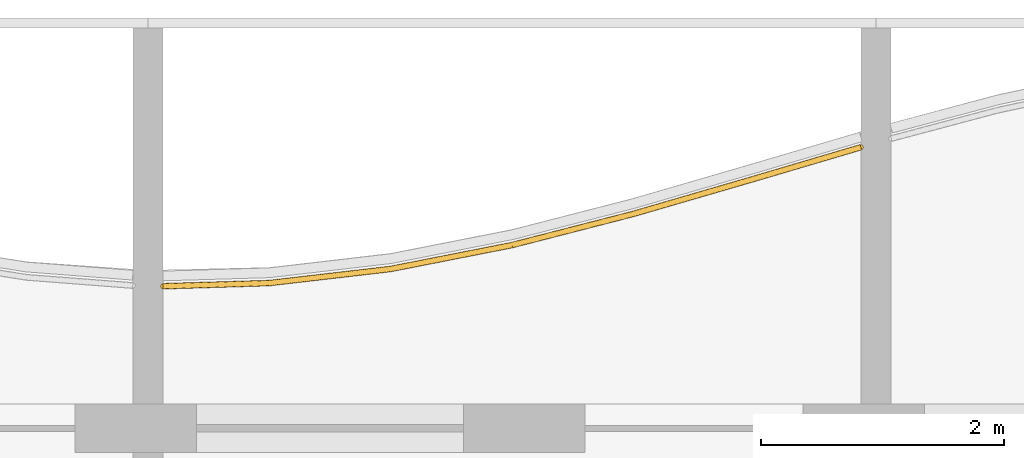
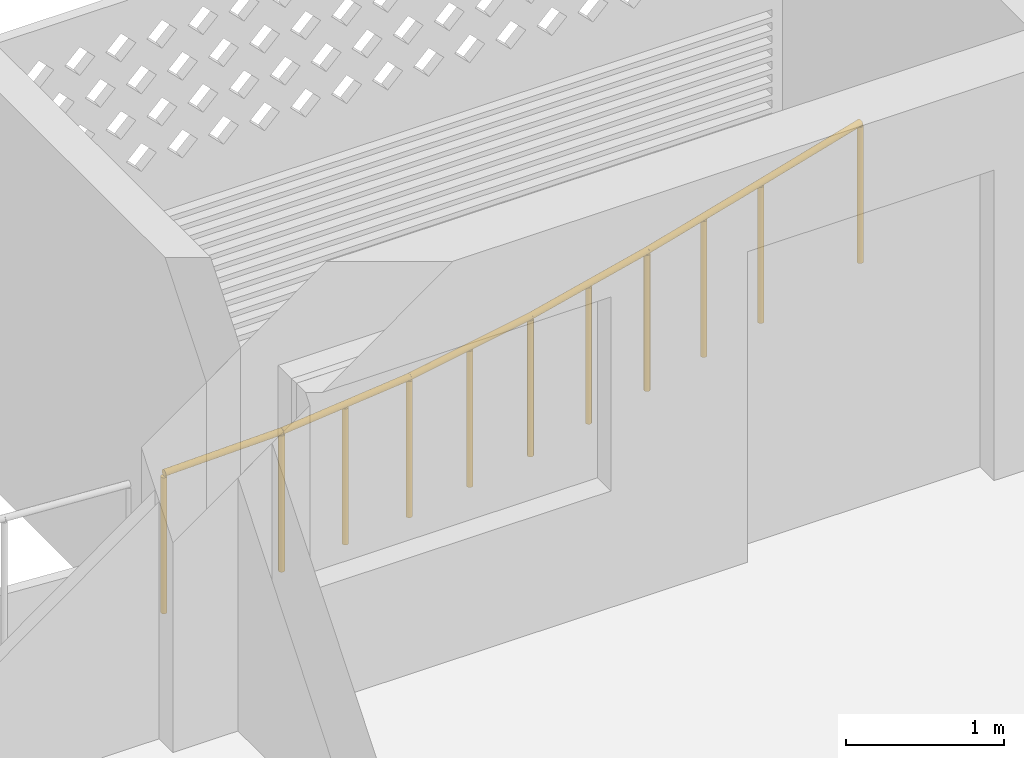
# One storey, part 20 of 29: 1 railing.
"""IFC4 building model written with IfcOpenShell, lengths in metres."""

from ifc_helpers import new_model, si_unit, direction, frame, origin, origin_2d, place, context, subcontext, project, spatial, circle, extrude, material, type_object, element, save


model = new_model("IFC4")

# Units and contexts
model_context = context("Model", 3, precision=1e-05, world=origin(), true_north=direction((0.0, 1.0)))
body_context = subcontext(model_context, "Body", "Model", "MODEL_VIEW")
ifc_project = project(units=[si_unit("LENGTHUNIT", "METRE"), si_unit("AREAUNIT", "SQUARE_METRE"), si_unit("VOLUMEUNIT", "CUBIC_METRE"), si_unit("PLANEANGLEUNIT", "RADIAN"), si_unit("MASSUNIT", "GRAM", prefix="KILO")], contexts=[model_context])

# Site, building, storey
site_placement = place(None, origin())
site = spatial("IfcSite", under=ifc_project, at=site_placement, CompositionType="ELEMENT")
building_placement = place(site_placement, origin())
building = spatial("IfcBuilding", under=site, at=building_placement, Name="Poui Terraces", CompositionType="ELEMENT")
storey_placement = place(building_placement, frame((0.0, 0.0, 231.300048828125)))
storey = spatial("IfcBuildingStorey", under=building, at=storey_placement, Name="L64", CompositionType="ELEMENT", Elevation=231.300048828125)

# Railing
ifc_material = material(Name="Painted steel fretwork", Category="steel")
railing_type = type_object("IfcRailingType", Name="BALCONY GUARD 1100", PredefinedType="GUARDRAIL", material=ifc_material)
railing_placement = place(storey_placement, frame((42.125, 42.370849609375, 0.0)))
element("IfcRailing", 1, at=railing_placement, inside=storey, type_object=railing_type, Name="BALCONY GUARD", PredefinedType="GUARDRAIL", context=body_context, shape_type="SweptSolid", body=[
    extrude(circle(Radius=0.02392578125, at=origin_2d()), frame((0.0, 0.0, 1.076171875), z_axis=(0.999554639848, 0.029841614527, 0.0), x_axis=(-0.029841614527, 0.999554639848, 0.0)), (0.0, 0.0, 1.0), 0.87548828125),
    extrude(circle(Radius=0.02392578125, at=origin_2d()), frame((0.875, 0.026123046875, 1.076171875), z_axis=(0.993315142472, 0.11543408394, 0.0), x_axis=(-0.11543408394, 0.993315142472, 0.0)), (0.0, 0.0, 1.0), 1.0068359375),
    extrude(circle(Radius=0.02392578125, at=origin_2d()), frame((1.875, 0.142333984375, 1.076171875), z_axis=(0.981184042676, 0.193074789648, 0.0), x_axis=(-0.193074789648, 0.981184042676, 0.0)), (0.0, 0.0, 1.0), 1.019287109375),
    extrude(circle(Radius=0.02392578125, at=origin_2d()), frame((2.875, 0.339111328125, 1.076171875), z_axis=(0.968507596014, 0.248984008448, 0.0), x_axis=(-0.248984008448, 0.968507596014, 0.0)), (0.0, 0.0, 1.0), 1.032470703125),
    extrude(circle(Radius=0.02392578125, at=origin_2d()), frame((3.875, 0.59619140625, 1.076171875), z_axis=(0.960230728662, 0.279207714316, 0.0), x_axis=(-0.279207714316, 0.960230728662, 0.0)), (0.0, 0.0, 1.0), 1.04150390625),
    extrude(circle(Radius=0.02392578125, at=origin_2d()), frame((4.875, 0.886962890625, 1.076171875), z_axis=(0.959011097716, 0.283368513527, 0.0), x_axis=(-0.283368513527, 0.959011097716, 0.0)), (0.0, 0.0, 1.0), 0.912353515625),
    extrude(circle(Radius=0.02099609375, at=origin_2d()), origin(), (0.0, 0.0, 1.0), 1.052001953125),
    extrude(circle(Radius=0.02099609375, at=origin_2d()), frame((0.875, 0.026123046875, 0.0)), (0.0, 0.0, 1.0), 1.052001953125),
    extrude(circle(Radius=0.02099609375, at=origin_2d()), frame((1.375, 0.084228515625, 0.0)), (0.0, 0.0, 1.0), 1.052001953125),
    extrude(circle(Radius=0.02099609375, at=origin_2d()), frame((1.875, 0.142333984375, 0.0)), (0.0, 0.0, 1.0), 1.052001953125),
    extrude(circle(Radius=0.02099609375, at=origin_2d()), frame((2.375, 0.24072265625, 0.0)), (0.0, 0.0, 1.0), 1.052001953125),
    extrude(circle(Radius=0.02099609375, at=origin_2d()), frame((2.875, 0.339111328125, 0.0)), (0.0, 0.0, 1.0), 1.052001953125),
    extrude(circle(Radius=0.02099609375, at=origin_2d()), frame((3.375, 0.4677734375, 0.0)), (0.0, 0.0, 1.0), 1.052001953125),
    extrude(circle(Radius=0.02099609375, at=origin_2d()), frame((3.875, 0.59619140625, 0.0)), (0.0, 0.0, 1.0), 1.052001953125),
    extrude(circle(Radius=0.02099609375, at=origin_2d()), frame((4.375, 0.74169921875, 0.0)), (0.0, 0.0, 1.0), 1.052001953125),
    extrude(circle(Radius=0.02099609375, at=origin_2d()), frame((4.875, 0.886962890625, 0.0)), (0.0, 0.0, 1.0), 1.052001953125),
    extrude(circle(Radius=0.02099609375, at=origin_2d()), frame((5.75, 1.1455078125, 0.0)), (0.0, 0.0, 1.0), 1.052001953125),
])

save(model, "model.ifc")
